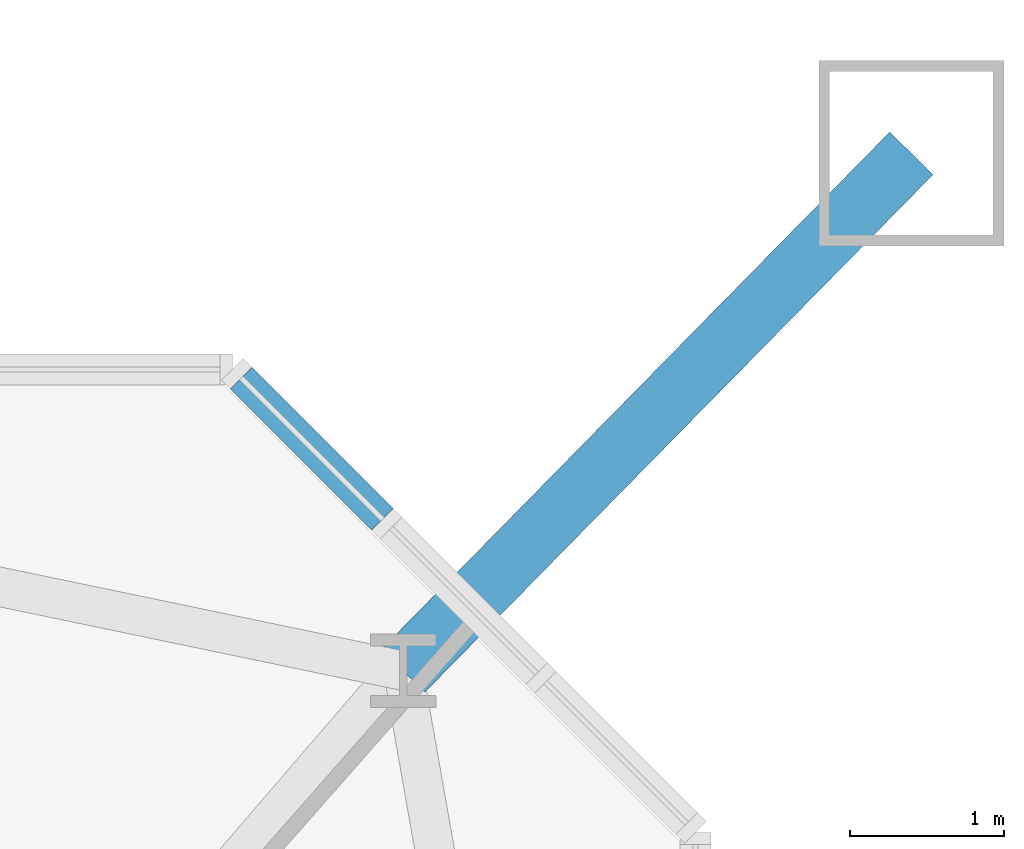
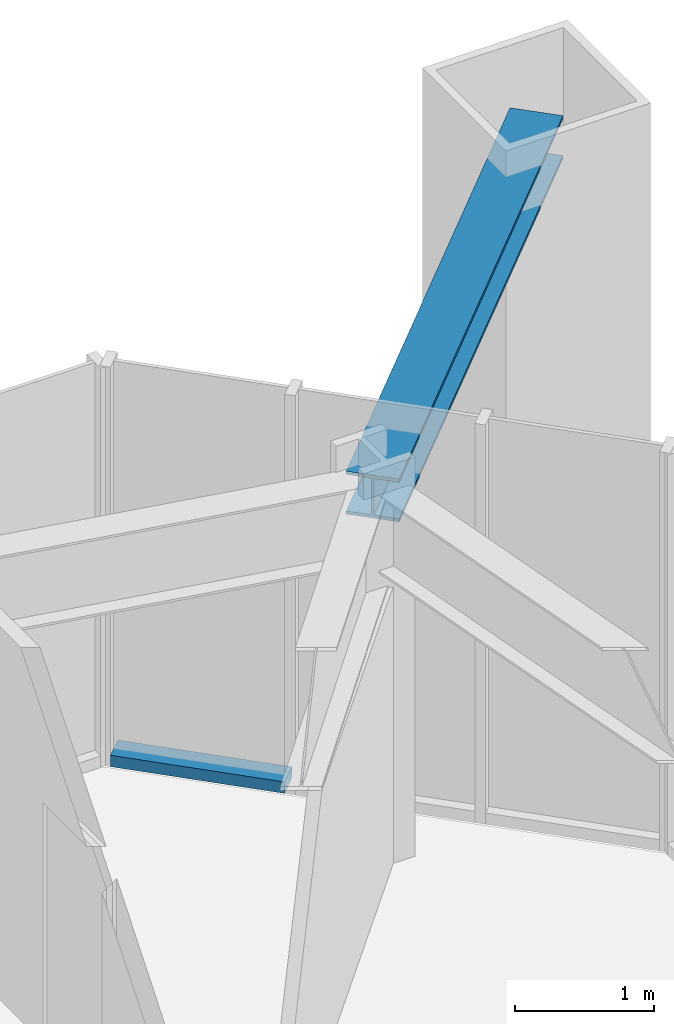
# One storey, part 11 of 26: 2 members, 1 element without a shape of its own.
"""IFC4 building model written with IfcOpenShell, lengths in metres."""

import ifcopenshell
import ifcopenshell.guid

model = None  # the IFC model being written
_history = None  # IfcOwnerHistory: only IFC2X3 demands one
_inside = {}  # id of a spatial element -> (the spatial element, [elements in it])
_under = {}  # id of a project, library or spatial element -> (it, [spatial elements below it])
_declared = {}  # id of a project -> (the project, [libraries it declares])
_typed = {}  # id of a type object -> (the type object, [elements of that type])
_made_of = {}  # id of a material, layer set ... -> (it, [elements and type objects made of it])


def new_model(schema):
    """Start an empty IFC model of exactly this schema.

    Asked for "IFC4X3", IfcOpenShell would pick the latest addendum, in which some entities
    have other attributes; the version numbers below select the first issue.
    IFC2X3 requires an IfcOwnerHistory on every rooted entity: one is made here for all.
    """
    global model, _history
    if schema == "IFC4X3":
        model = ifcopenshell.file(schema_version=(4, 3, 0, 0))
    else:
        model = ifcopenshell.file(schema=schema)
    _inside.clear()
    _under.clear()
    _declared.clear()
    _typed.clear()
    _made_of.clear()
    _history = None
    if model.schema == "IFC2X3":
        org = make("IfcOrganization", Name="unknown")
        user = make(
            "IfcPersonAndOrganization",
            ThePerson=make("IfcPerson", FamilyName="unknown"),
            TheOrganization=org,
        )
        app = make(
            "IfcApplication",
            ApplicationDeveloper=org,
            Version="unknown",
            ApplicationFullName="unknown",
            ApplicationIdentifier="unknown",
        )
        _history = make(
            "IfcOwnerHistory",
            OwningUser=user,
            OwningApplication=app,
            ChangeAction="ADDED",
            CreationDate=0,
        )
    return model


def make(cls, **values):
    """One entity of the class cls with the attributes given. An attribute that is None is left unset."""
    return model.create_entity(
        cls, **{name: value for name, value in values.items() if value is not None}
    )


def rooted(cls, **values):
    """An entity with a GlobalId (a new one), such as an element, a storey or a relation."""
    return make(cls, GlobalId=ifcopenshell.guid.new(), OwnerHistory=_history, **values)


def si_unit(unit_type, name, prefix=None):
    """IfcSIUnit, for example si_unit("LENGTHUNIT", "METRE", prefix="MILLI")."""
    return make("IfcSIUnit", UnitType=unit_type, Prefix=prefix, Name=name)


def assignment(units):
    """IfcUnitAssignment: the units of a project."""
    return None if units is None else make("IfcUnitAssignment", Units=units)


def point(xyz):
    """IfcCartesianPoint."""
    return None if xyz is None else make("IfcCartesianPoint", Coordinates=xyz)


def direction(xyz):
    """IfcDirection."""
    return None if xyz is None else make("IfcDirection", DirectionRatios=xyz)


def frame(location, z_axis=None, x_axis=None):
    """IfcAxis2Placement3D, a coordinate frame: its origin and axes. An axis left out is left unset."""
    return make(
        "IfcAxis2Placement3D",
        Location=point(location),
        Axis=direction(z_axis),
        RefDirection=direction(x_axis),
    )


def frame_2d(location, x_axis=None):
    """IfcAxis2Placement2D, a coordinate frame in the plane: its origin and x axis."""
    return make(
        "IfcAxis2Placement2D", Location=point(location), RefDirection=direction(x_axis)
    )


def origin():
    """The frame at (0, 0, 0) with its axes left unset."""
    return frame((0.0, 0.0, 0.0))


def origin_2d():
    """The frame at (0, 0) in the plane with its x axis left unset."""
    return frame_2d((0.0, 0.0))


def place(relative_to, where):
    """IfcLocalPlacement: puts the frame where relative to a parent placement (None: the world)."""
    return make(
        "IfcLocalPlacement", PlacementRelTo=relative_to, RelativePlacement=where
    )


def context(
    kind, dimensions, precision=None, world=None, true_north=None, identifier=None
):
    """IfcGeometricRepresentationContext, for example the 3D "Model" context."""
    return make(
        "IfcGeometricRepresentationContext",
        ContextIdentifier=identifier,
        ContextType=kind,
        CoordinateSpaceDimension=dimensions,
        Precision=precision,
        WorldCoordinateSystem=world,
        TrueNorth=true_north,
    )


def subcontext(parent, identifier, kind, view, scale=None):
    """IfcGeometricRepresentationSubContext, for example "Body" below "Model"."""
    return make(
        "IfcGeometricRepresentationSubContext",
        ContextIdentifier=identifier,
        ContextType=kind,
        ParentContext=parent,
        TargetScale=scale,
        TargetView=view,
    )


def project(units=None, contexts=None):
    """IfcProject with its units and contexts."""
    return rooted(
        "IfcProject",
        Name="project",
        RepresentationContexts=contexts,
        UnitsInContext=assignment(units),
    )


def spatial(cls, under=None, at=None, **own):
    """A site, building, storey or space (cls), placed at a placement, below another one or the project."""
    s = rooted(cls, ObjectPlacement=at, **own)
    if under is not None:
        _under.setdefault(under.id(), (under, []))[1].append(s)
    return s


def profile(cls, at=None, kind="AREA", **sizes):
    """A parametric profile (cls). Its sizes go by their IFC names, for example OverallWidth=200.0."""
    return make(cls, ProfileType=kind, Position=at, **sizes)


def rectangle(**sizes):
    """IfcRectangleProfileDef."""
    return profile("IfcRectangleProfileDef", **sizes)


def i_section(**sizes):
    """IfcIShapeProfileDef."""
    return profile("IfcIShapeProfileDef", **sizes)


def extrude(swept, where, along, depth):
    """IfcExtrudedAreaSolid: the profile swept, set in the frame where, extruded along a direction by depth."""
    return make(
        "IfcExtrudedAreaSolid",
        SweptArea=swept,
        Position=where,
        ExtrudedDirection=direction(along),
        Depth=depth,
    )


def shape(context_of_items, identifier, shape_type, items):
    """IfcShapeRepresentation: the items that make up one representation, for example the "Body"."""
    return make(
        "IfcShapeRepresentation",
        ContextOfItems=context_of_items,
        RepresentationIdentifier=identifier,
        RepresentationType=shape_type,
        Items=items,
    )


def material(Name=None, Category=None):
    """IfcMaterial."""
    return make("IfcMaterial", Name=Name, Category=Category)


def material_profile(
    of_material, cross_section, Name=None, Category=None, Priority=None
):
    """IfcMaterialProfile: a cross section and its material."""
    return make(
        "IfcMaterialProfile",
        Name=Name,
        Material=of_material,
        Profile=cross_section,
        Priority=Priority,
        Category=Category,
    )


def profile_set(profiles, Name=None, composite=None):
    """IfcMaterialProfileSet."""
    return make(
        "IfcMaterialProfileSet",
        Name=Name,
        MaterialProfiles=profiles,
        CompositeProfile=composite,
    )


def made_of(thing, what):
    """Note that an element or type object is made of a material, layer set ...; save() writes the relation."""
    if what is not None:
        _made_of.setdefault(what.id(), (what, []))[1].append(thing)
    return thing


def type_object(cls, material=None, **own):
    """A type object (cls), such as IfcWallType, which elements share."""
    return made_of(rooted(cls, **own), material)


def element(
    cls,
    number,
    at=None,
    inside=None,
    cuts=None,
    type_object=None,
    material=None,
    context=None,
    identifier="Body",
    shape_type=None,
    held_by="IfcProductDefinitionShape",
    body=None,
    shapes=None,
    **own,
):
    """One element of the class cls, such as IfcWall. Its Tag is "e" and its number.

    at: its placement. inside: the storey or other place that contains it. cuts: it is an
    opening in that element (IfcRelVoidsElement). A single representation is given by context,
    identifier, shape_type and body (its items); several are given by shapes. held_by: the class
    of the entity that holds the representations. save() writes the other relations.
    """
    e = rooted(cls, Tag="e%d" % number, ObjectPlacement=at, **own)
    if body is not None:
        shapes = [shape(context, identifier, shape_type, body)]
    if shapes is not None:
        e.Representation = make(held_by, Representations=shapes)
    if inside is not None:
        _inside.setdefault(inside.id(), (inside, []))[1].append(e)
    if cuts is not None:
        rooted(
            "IfcRelVoidsElement", RelatingBuildingElement=cuts, RelatedOpeningElement=e
        )
    if type_object is not None:
        _typed.setdefault(type_object.id(), (type_object, []))[1].append(e)
    return made_of(e, material)


def aggregate(whole, parts):
    """IfcRelAggregates: a whole, such as a stair, and the parts it consists of."""
    return rooted("IfcRelAggregates", RelatingObject=whole, RelatedObjects=parts)


def save(model, path):
    """Write the relations noted so far, then the file.

    IfcRelAggregates (storeys below a building ...), IfcRelContainedInSpatialStructure (elements
    in a storey), IfcRelDefinesByType, IfcRelAssociatesMaterial and IfcRelDeclares: one each for
    every whole, place, type object, material and project.
    """
    for whole, parts in _under.values():
        aggregate(whole, parts)
    for where, things in _inside.values():
        rooted(
            "IfcRelContainedInSpatialStructure",
            RelatedElements=things,
            RelatingStructure=where,
        )
    for kind, things in _typed.values():
        rooted("IfcRelDefinesByType", RelatedObjects=things, RelatingType=kind)
    for what, things in _made_of.values():
        rooted("IfcRelAssociatesMaterial", RelatedObjects=things, RelatingMaterial=what)
    for by, libraries in _declared.values():
        rooted("IfcRelDeclares", RelatingContext=by, RelatedDefinitions=libraries)
    model.write(path)


model = new_model("IFC4")

# Units and contexts
model_context = context("Model", 3, precision=1e-05, world=origin(), true_north=direction((0.0, 1.0)))
body_context = subcontext(model_context, "Body", "Model", "MODEL_VIEW")
ifc_project = project(units=[si_unit("LENGTHUNIT", "METRE"), si_unit("AREAUNIT", "SQUARE_METRE"), si_unit("VOLUMEUNIT", "CUBIC_METRE"), si_unit("PLANEANGLEUNIT", "RADIAN"), si_unit("MASSUNIT", "GRAM", prefix="KILO")], contexts=[model_context])

# Site, building, storey
site_placement = place(None, origin())
site = spatial("IfcSite", under=ifc_project, at=site_placement, CompositionType="ELEMENT")
building_placement = place(site_placement, origin())
building = spatial("IfcBuilding", under=site, at=building_placement, Name="Iwan Alto Co-Living Towers", CompositionType="ELEMENT")
storey_placement = place(building_placement, frame((0.0, 0.0, 60.5)))
storey = spatial("IfcBuildingStorey", under=building, at=storey_placement, Name="L16", CompositionType="ELEMENT", Elevation=60.5)

# Curtain wall, member
ifc_material_1 = material(Name="Bronze aluminium unitised frame", Category="aluminium")
curtain_wall_type = type_object("IfcCurtainWallType", Name="CURTAIN WALL CW-D", PredefinedType="NOTDEFINED", material=ifc_material_1)
curtain_wall_placement = place(storey_placement, origin())
curtain_wall = element("IfcCurtainWall", 1, at=curtain_wall_placement, inside=storey, type_object=curtain_wall_type, Name="T2 chamfer curtain wall NE L16", PredefinedType="NOTDEFINED")
ifc_material_2 = material(Name="Aluminium 6063-T6 bronze anodised", Category="aluminium")
ifc_material_profile_1 = material_profile(ifc_material_2, rectangle(XDim=0.199951171875, YDim=0.10009765625, at=origin_2d()), Name="AL 200X100")
ifc_profile_set_1 = profile_set([ifc_material_profile_1], Name="Aluminium 6063-T6 bronze anodised")
member_type_1 = type_object("IfcMemberType", Name="CW-D TRANSOM 200X100", PredefinedType="USERDEFINED", material=ifc_profile_set_1)
member_1_placement = place(storey_placement, frame((77.4716796875, 17.7783203125, 0.050048828125), z_axis=(-0.707106781187, 0.707106781187, 0.0), x_axis=(-0.707106781187, -0.707106781187, 0.0)))
member_1 = element("IfcMember", 2, at=member_1_placement, type_object=member_type_1, Name="CW-D transom 3.1", ObjectType="TRANSOM", PredefinedType="USERDEFINED", context=body_context, shape_type="SweptSolid", body=[
    extrude(rectangle(XDim=0.199951171875, YDim=0.10009765625, at=origin_2d()), origin(), (0.0, 0.0, 1.0), 1.2939453125),
])
aggregate(curtain_wall, [member_1])

# Member
ifc_material_3 = material(Name="Steel ASTM A992 Gr 50", Category="steel")
ifc_material_profile_2 = material_profile(ifc_material_3, i_section(OverallWidth=0.393798828125, OverallDepth=0.3759765625, WebThickness=0.017333984375, FlangeThickness=0.027587890625, at=origin_2d()), Name="W14X145")
ifc_profile_set_2 = profile_set([ifc_material_profile_2], Name="Steel ASTM A992 Gr 50")
member_type_2 = type_object("IfcMemberType", Name="T2 MEGA COLUMN FLOOR TIE W14X145", PredefinedType="STRUT", material=ifc_profile_set_2)
member_2_placement = place(storey_placement, frame((80.89990234375, 20.14990234375, 3.08203125), z_axis=(-0.700793469544, -0.71336422187, 0.0), x_axis=(0.71336422187, -0.700793469544, 0.0)))
element("IfcMember", 3, at=member_2_placement, inside=storey, type_object=member_type_2, Name="T2 mega column floor tie NE L17", PredefinedType="STRUT", context=body_context, shape_type="SweptSolid", body=[
    extrude(i_section(OverallWidth=0.393798828125, OverallDepth=0.3759765625, WebThickness=0.017333984375, FlangeThickness=0.027587890625, at=origin_2d()), origin(), (0.0, 0.0, 1.0), 4.699951171875),
])

save(model, "model.ifc")
